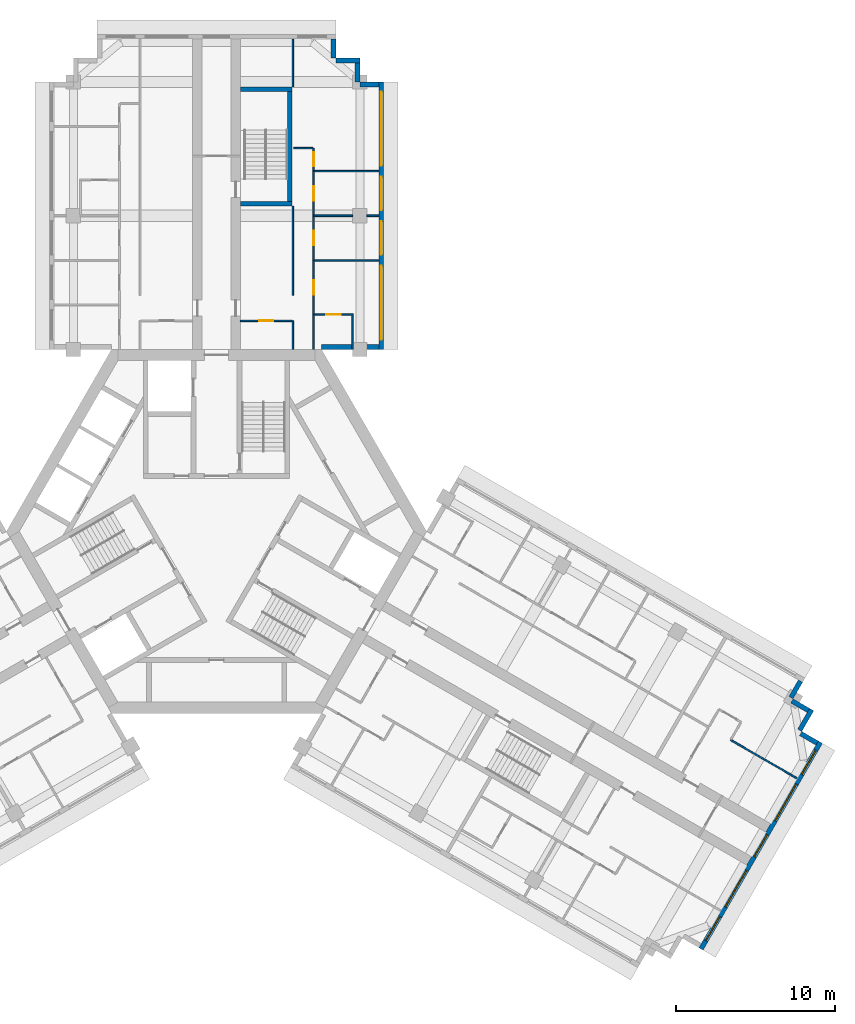
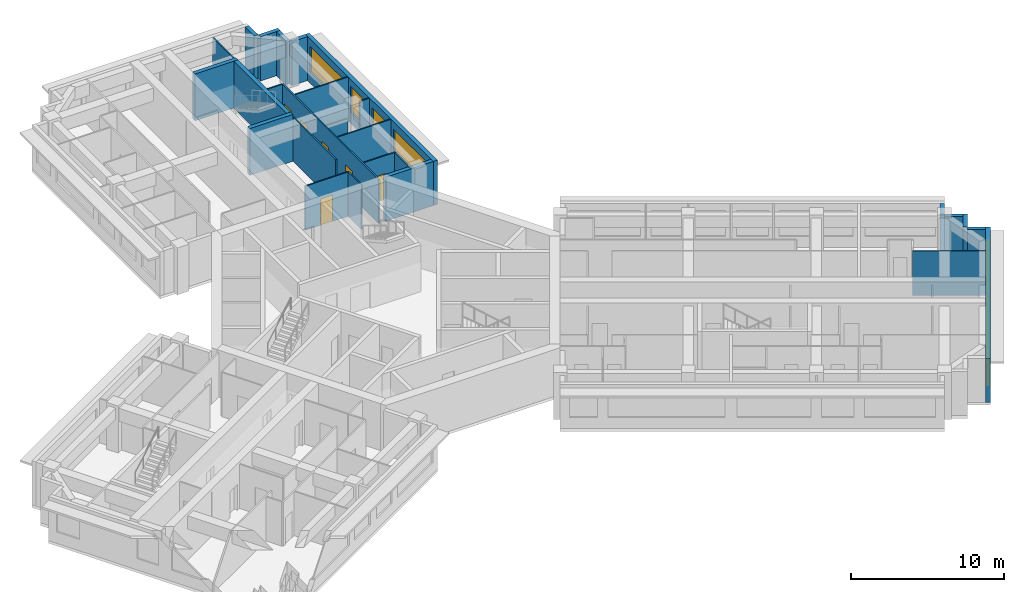
# One storey, part 8 of 10: 27 walls, 9 windows, 6 doors, 15 openings.
"""IFC4 building model written with IfcOpenShell, lengths in metres."""

from ifc_helpers import new_model, si_unit, direction, frame, frame_2d, origin, place, context, subcontext, project, spatial, rectangle, extrude, material, layer, layer_set, type_object, element, fill, save


model = new_model("IFC4")

# Units and contexts
model_context = context("Model", 3, precision=1e-05, world=origin(), true_north=direction((0.0, 1.0)))
body_context = subcontext(model_context, "Body", "Model", "MODEL_VIEW")
ifc_project = project(units=[si_unit("LENGTHUNIT", "METRE"), si_unit("AREAUNIT", "SQUARE_METRE"), si_unit("VOLUMEUNIT", "CUBIC_METRE"), si_unit("PLANEANGLEUNIT", "RADIAN"), si_unit("MASSUNIT", "GRAM", prefix="KILO")], contexts=[model_context])

# Site, building, storey
site_placement = place(None, origin())
site = spatial("IfcSite", under=ifc_project, at=site_placement, CompositionType="ELEMENT")
building_placement = place(site_placement, origin())
building = spatial("IfcBuilding", under=site, at=building_placement, Name="Impinga Residences", CompositionType="ELEMENT")
storey_placement = place(building_placement, frame((0.0, 0.0, 237.25)))
storey = spatial("IfcBuildingStorey", under=building, at=storey_placement, Name="L59", CompositionType="ELEMENT", Elevation=237.25)

# Walls
ifc_material_1 = material(Name="Terracotta rainscreen on blockwork", Category="masonry")
ifc_layer_1 = layer(ifc_material_1, 0.300048828125)
ifc_layer_set_1 = layer_set([ifc_layer_1], Name="EW1 external wall, terracotta rainscreen on blockwork 300")
wall_type_1 = type_object("IfcWallType", Name="EW1 external wall, terracotta rainscreen on blockwork 300", PredefinedType="SOLIDWALL", material=ifc_layer_set_1)
wall_1_placement = place(storey_placement, frame((36.69384765625, -9.4072265625, 0.0), z_axis=(0.0, 0.0, 1.0), x_axis=(-0.499880961361, -0.866094119867, 0.0)))
element("IfcWall", 1, at=wall_1_placement, inside=storey, type_object=wall_type_1, Name="External wall EW1 L59", PredefinedType="SOLIDWALL", context=body_context, shape_type="SweptSolid", body=[
    extrude(rectangle(XDim=1.199951171875, YDim=0.300048828125, at=frame_2d((0.60009765625, 0.0))), origin(), (0.0, 0.0, 1.0), 3.530029296875),
])
wall_2_placement = place(storey_placement, frame((36.153076171875, -10.654052734375, 0.0), z_axis=(0.0, 0.0, 1.0), x_axis=(0.866059708757, -0.499940577336, 0.0)))
element("IfcWall", 2, at=wall_2_placement, inside=storey, type_object=wall_type_1, Name="External wall EW1 L59", PredefinedType="SOLIDWALL", context=body_context, shape_type="SweptSolid", body=[
    extrude(rectangle(XDim=1.195068359375, YDim=0.300048828125, at=frame_2d((0.59765625, 0.0))), origin(), (0.0, 0.0, 1.0), 3.530029296875),
])
wall_3_placement = place(storey_placement, frame((37.39306640625, -11.196533203125, 0.0), z_axis=(0.0, 0.0, 1.0), x_axis=(-0.499990139034, -0.866031096941, 0.0)))
element("IfcWall", 3, at=wall_3_placement, inside=storey, type_object=wall_type_1, Name="External wall EW1 L59", PredefinedType="SOLIDWALL", context=body_context, shape_type="SweptSolid", body=[
    extrude(rectangle(XDim=1.5, YDim=0.300048828125, at=frame_2d((0.75, 0.0))), origin(), (0.0, 0.0, 1.0), 3.530029296875),
])
wall_4_placement = place(storey_placement, frame((36.7021484375, -12.702880859375, 0.0), z_axis=(0.0, 0.0, 1.0), x_axis=(0.865971243484, -0.500093796661, 0.0)))
element("IfcWall", 4, at=wall_4_placement, inside=storey, type_object=wall_type_1, Name="External wall EW1 L59", PredefinedType="SOLIDWALL", context=body_context, shape_type="SweptSolid", body=[
    extrude(rectangle(XDim=1.195068359375, YDim=0.300048828125, at=frame_2d((0.59765625, 0.0))), origin(), (0.0, 0.0, 1.0), 3.530029296875),
])

# Wall, openings, windows
wall_5_placement = place(storey_placement, frame((37.94189453125, -13.24560546875, 0.0), z_axis=(0.0, 0.0, 1.0), x_axis=(-0.500004234368, -0.866022959057, 0.0)))
wall_5 = element("IfcWall", 5, at=wall_5_placement, inside=storey, type_object=wall_type_1, Name="External wall EW1 L59", PredefinedType="SOLIDWALL", context=body_context, shape_type="SweptSolid", body=[
    extrude(rectangle(XDim=14.999755859375, YDim=0.300048828125, at=frame_2d((7.5, 0.0))), origin(), (0.0, 0.0, 1.0), 3.530029296875),
])
opening_1_placement = place(wall_5_placement, frame((0.60009765625, 0.0, 0.89990234375)))
opening_1 = element("IfcOpeningElement", 6, at=opening_1_placement, cuts=wall_5, Name="Opening W1", PredefinedType="OPENING", context=body_context, shape_type="SweptSolid", body=[
    extrude(rectangle(XDim=1.75, YDim=2.050048828125, at=frame_2d((0.875, 1.02490234375))), frame((0.0, 0.159912109375, 0.0), z_axis=(0.0, -1.0, 0.0), x_axis=(1.0, 0.0, 0.0)), (0.0, 0.0, 1.0), 0.320068359375),
])
opening_2_placement = place(wall_5_placement, frame((3.050048828125, 0.0, 0.89990234375)))
opening_2 = element("IfcOpeningElement", 7, at=opening_2_placement, cuts=wall_5, Name="Opening W18", PredefinedType="OPENING", context=body_context, shape_type="SweptSolid", body=[
    extrude(rectangle(XDim=2.64990234375, YDim=2.050048828125, at=frame_2d((1.324951171875, 1.02490234375))), frame((0.0, 0.159912109375, 0.0), z_axis=(0.0, -1.0, 0.0), x_axis=(1.0, 0.0, 0.0)), (0.0, 0.0, 1.0), 0.320068359375),
])
opening_3_placement = place(wall_5_placement, frame((6.699951171875, 0.0, 0.89990234375)))
opening_3 = element("IfcOpeningElement", 8, at=opening_3_placement, cuts=wall_5, Name="Opening W19", PredefinedType="OPENING", context=body_context, shape_type="SweptSolid", body=[
    extrude(rectangle(XDim=1.60009765625, YDim=2.050048828125, at=frame_2d((0.800048828125, 1.02490234375))), frame((0.0, 0.159912109375, 0.0), z_axis=(0.0, -1.0, 0.0), x_axis=(1.0, 0.0, 0.0)), (0.0, 0.0, 1.0), 0.320068359375),
])
opening_4_placement = place(wall_5_placement, frame((9.300048828125, 0.0, 0.89990234375)))
opening_4 = element("IfcOpeningElement", 9, at=opening_4_placement, cuts=wall_5, Name="Opening W18", PredefinedType="OPENING", context=body_context, shape_type="SweptSolid", body=[
    extrude(rectangle(XDim=2.64990234375, YDim=2.050048828125, at=frame_2d((1.324951171875, 1.02490234375))), frame((0.0, 0.159912109375, 0.0), z_axis=(0.0, -1.0, 0.0), x_axis=(1.0, 0.0, 0.0)), (0.0, 0.0, 1.0), 0.320068359375),
])
opening_5_placement = place(wall_5_placement, frame((12.64990234375, 0.0, 0.89990234375)))
opening_5 = element("IfcOpeningElement", 10, at=opening_5_placement, cuts=wall_5, Name="Opening W1", PredefinedType="OPENING", context=body_context, shape_type="SweptSolid", body=[
    extrude(rectangle(XDim=1.75, YDim=2.050048828125, at=frame_2d((0.875, 1.02490234375))), frame((0.0, 0.159912109375, 0.0), z_axis=(0.0, -1.0, 0.0), x_axis=(1.0, 0.0, 0.0)), (0.0, 0.0, 1.0), 0.320068359375),
])
ifc_material_2 = material(Name="Aluminium window, clear double glazing", Category="aluminium")
window_type_1 = type_object("IfcWindowType", Name="W1 ribbon window 1750x2050", PartitioningType="SINGLE_PANEL", PredefinedType="WINDOW", material=ifc_material_2)
window_1_placement = place(opening_1_placement, origin())
window_1 = element("IfcWindow", 11, at=window_1_placement, inside=storey, type_object=window_type_1, Name="Window L59", OverallHeight=2.050048828125, OverallWidth=1.75, PartitioningType="SINGLE_PANEL", PredefinedType="WINDOW", context=body_context, shape_type="SweptSolid", body=[
    extrude(rectangle(XDim=1.75, YDim=2.050048828125, at=frame_2d((0.875, 1.02490234375))), frame((0.0, 0.030029296875, 0.0), z_axis=(0.0, -1.0, 0.0), x_axis=(1.0, 0.0, 0.0)), (0.0, 0.0, 1.0), 0.06005859375),
])
fill(opening_1, window_1)
window_2_placement = place(opening_5_placement, origin())
window_2 = element("IfcWindow", 12, at=window_2_placement, inside=storey, type_object=window_type_1, Name="Window L59", OverallHeight=2.050048828125, OverallWidth=1.75, PartitioningType="SINGLE_PANEL", PredefinedType="WINDOW", context=body_context, shape_type="SweptSolid", body=[
    extrude(rectangle(XDim=1.75, YDim=2.050048828125, at=frame_2d((0.875, 1.02490234375))), frame((0.0, 0.030029296875, 0.0), z_axis=(0.0, -1.0, 0.0), x_axis=(1.0, 0.0, 0.0)), (0.0, 0.0, 1.0), 0.06005859375),
])
fill(opening_5, window_2)
window_type_2 = type_object("IfcWindowType", Name="W18 ribbon window 2650x2050", PartitioningType="SINGLE_PANEL", PredefinedType="WINDOW", material=ifc_material_2)
window_3_placement = place(opening_2_placement, origin())
window_3 = element("IfcWindow", 13, at=window_3_placement, inside=storey, type_object=window_type_2, Name="Window L59", OverallHeight=2.050048828125, OverallWidth=2.64990234375, PartitioningType="SINGLE_PANEL", PredefinedType="WINDOW", context=body_context, shape_type="SweptSolid", body=[
    extrude(rectangle(XDim=2.64990234375, YDim=2.050048828125, at=frame_2d((1.324951171875, 1.02490234375))), frame((0.0, 0.030029296875, 0.0), z_axis=(0.0, -1.0, 0.0), x_axis=(1.0, 0.0, 0.0)), (0.0, 0.0, 1.0), 0.06005859375),
])
fill(opening_2, window_3)
window_4_placement = place(opening_4_placement, origin())
window_4 = element("IfcWindow", 14, at=window_4_placement, inside=storey, type_object=window_type_2, Name="Window L59", OverallHeight=2.050048828125, OverallWidth=2.64990234375, PartitioningType="SINGLE_PANEL", PredefinedType="WINDOW", context=body_context, shape_type="SweptSolid", body=[
    extrude(rectangle(XDim=2.64990234375, YDim=2.050048828125, at=frame_2d((1.324951171875, 1.02490234375))), frame((0.0, 0.030029296875, 0.0), z_axis=(0.0, -1.0, 0.0), x_axis=(1.0, 0.0, 0.0)), (0.0, 0.0, 1.0), 0.06005859375),
])
fill(opening_4, window_4)
window_type_3 = type_object("IfcWindowType", Name="W19 ribbon window 1600x2050", PartitioningType="SINGLE_PANEL", PredefinedType="WINDOW", material=ifc_material_2)
window_5_placement = place(opening_3_placement, origin())
window_5 = element("IfcWindow", 15, at=window_5_placement, inside=storey, type_object=window_type_3, Name="Window L59", OverallHeight=2.050048828125, OverallWidth=1.60009765625, PartitioningType="SINGLE_PANEL", PredefinedType="WINDOW", context=body_context, shape_type="SweptSolid", body=[
    extrude(rectangle(XDim=1.60009765625, YDim=2.050048828125, at=frame_2d((0.800048828125, 1.02490234375))), frame((0.0, 0.030029296875, 0.0), z_axis=(0.0, -1.0, 0.0), x_axis=(1.0, 0.0, 0.0)), (0.0, 0.0, 1.0), 0.06005859375),
])
fill(opening_3, window_5)

# Walls
wall_6_placement = place(storey_placement, frame((7.35009765625, 30.931640625, 0.0), z_axis=(0.0, 0.0, 1.0), x_axis=(0.0, -1.0, 0.0)))
element("IfcWall", 16, at=wall_6_placement, inside=storey, type_object=wall_type_1, Name="External wall EW1 L59", PredefinedType="SOLIDWALL", context=body_context, shape_type="SweptSolid", body=[
    extrude(rectangle(XDim=1.195068359375, YDim=0.300048828125, at=frame_2d((0.59765625, 0.0))), origin(), (0.0, 0.0, 1.0), 3.530029296875),
])
wall_7_placement = place(storey_placement, frame((7.5, 29.58154296875, 0.0), z_axis=(0.0, 0.0, 1.0), x_axis=(1.0, 0.0, 0.0)))
element("IfcWall", 17, at=wall_7_placement, inside=storey, type_object=wall_type_1, Name="External wall EW1 L59", PredefinedType="SOLIDWALL", context=body_context, shape_type="SweptSolid", body=[
    extrude(rectangle(XDim=1.5, YDim=0.300048828125, at=frame_2d((0.75, 0.0))), origin(), (0.0, 0.0, 1.0), 3.530029296875),
])
wall_8_placement = place(storey_placement, frame((8.85009765625, 29.431640625, 0.0), z_axis=(0.0, 0.0, 1.0), x_axis=(0.0, -1.0, 0.0)))
element("IfcWall", 18, at=wall_8_placement, inside=storey, type_object=wall_type_1, Name="External wall EW1 L59", PredefinedType="SOLIDWALL", context=body_context, shape_type="SweptSolid", body=[
    extrude(rectangle(XDim=1.2001953125, YDim=0.300048828125, at=frame_2d((0.60009765625, 0.0))), origin(), (0.0, 0.0, 1.0), 3.530029296875),
])
wall_9_placement = place(storey_placement, frame((9.0048828125, 28.08154296875, 0.0), z_axis=(0.0, 0.0, 1.0), x_axis=(1.0, 0.0, 0.0)))
element("IfcWall", 19, at=wall_9_placement, inside=storey, type_object=wall_type_1, Name="External wall EW1 L59", PredefinedType="SOLIDWALL", context=body_context, shape_type="SweptSolid", body=[
    extrude(rectangle(XDim=1.195068359375, YDim=0.300048828125, at=frame_2d((0.59765625, 0.0))), origin(), (0.0, 0.0, 1.0), 3.530029296875),
])

# Wall, openings, windows
wall_10_placement = place(storey_placement, frame((10.35009765625, 28.2314453125, 0.0), z_axis=(0.0, 0.0, 1.0), x_axis=(0.0, -1.0, 0.0)))
wall_10 = element("IfcWall", 20, at=wall_10_placement, inside=storey, type_object=wall_type_1, Name="External wall EW1 L59", PredefinedType="SOLIDWALL", context=body_context, shape_type="SweptSolid", body=[
    extrude(rectangle(XDim=16.7998046875, YDim=0.300048828125, at=frame_2d((8.39990234375, 0.0))), origin(), (0.0, 0.0, 1.0), 3.530029296875),
])
opening_6_placement = place(wall_10_placement, frame((0.60009765625, 0.0, 0.89990234375)))
opening_6 = element("IfcOpeningElement", 21, at=opening_6_placement, cuts=wall_10, Name="Opening W10", PredefinedType="OPENING", context=body_context, shape_type="SweptSolid", body=[
    extrude(rectangle(XDim=4.64990234375, YDim=2.050048828125, at=frame_2d((2.324951171875, 1.02490234375))), frame((0.0, 0.159912109375, 0.0), z_axis=(0.0, -1.0, 0.0), x_axis=(1.0, 0.0, 0.0)), (0.0, 0.0, 1.0), 0.320068359375),
])
opening_7_placement = place(wall_10_placement, frame((5.949951171875, 0.0, 0.89990234375)))
opening_7 = element("IfcOpeningElement", 22, at=opening_7_placement, cuts=wall_10, Name="Opening W9", PredefinedType="OPENING", context=body_context, shape_type="SweptSolid", body=[
    extrude(rectangle(XDim=2.10009765625, YDim=2.050048828125, at=frame_2d((1.050048828125, 1.02490234375))), frame((0.0, 0.159912109375, 0.0), z_axis=(0.0, -1.0, 0.0), x_axis=(1.0, 0.0, 0.0)), (0.0, 0.0, 1.0), 0.320068359375),
])
opening_8_placement = place(wall_10_placement, frame((8.75, 0.0, 0.89990234375)))
opening_8 = element("IfcOpeningElement", 23, at=opening_8_placement, cuts=wall_10, Name="Opening W9", PredefinedType="OPENING", context=body_context, shape_type="SweptSolid", body=[
    extrude(rectangle(XDim=2.10009765625, YDim=2.050048828125, at=frame_2d((1.050048828125, 1.02490234375))), frame((0.0, 0.159912109375, 0.0), z_axis=(0.0, -1.0, 0.0), x_axis=(1.0, 0.0, 0.0)), (0.0, 0.0, 1.0), 0.320068359375),
])
opening_9_placement = place(wall_10_placement, frame((11.550048828125, 0.0, 0.89990234375)))
opening_9 = element("IfcOpeningElement", 24, at=opening_9_placement, cuts=wall_10, Name="Opening W10", PredefinedType="OPENING", context=body_context, shape_type="SweptSolid", body=[
    extrude(rectangle(XDim=4.64990234375, YDim=2.050048828125, at=frame_2d((2.324951171875, 1.02490234375))), frame((0.0, 0.159912109375, 0.0), z_axis=(0.0, -1.0, 0.0), x_axis=(1.0, 0.0, 0.0)), (0.0, 0.0, 1.0), 0.320068359375),
])
window_type_4 = type_object("IfcWindowType", Name="W10 ribbon window 4650x2050", PartitioningType="SINGLE_PANEL", PredefinedType="WINDOW", material=ifc_material_2)
window_6_placement = place(opening_6_placement, origin())
window_6 = element("IfcWindow", 25, at=window_6_placement, inside=storey, type_object=window_type_4, Name="Window L59", OverallHeight=2.050048828125, OverallWidth=4.64990234375, PartitioningType="SINGLE_PANEL", PredefinedType="WINDOW", context=body_context, shape_type="SweptSolid", body=[
    extrude(rectangle(XDim=4.64990234375, YDim=2.050048828125, at=frame_2d((2.324951171875, 1.02490234375))), frame((0.0, 0.030029296875, 0.0), z_axis=(0.0, -1.0, 0.0), x_axis=(1.0, 0.0, 0.0)), (0.0, 0.0, 1.0), 0.06005859375),
])
fill(opening_6, window_6)
window_7_placement = place(opening_9_placement, origin())
window_7 = element("IfcWindow", 26, at=window_7_placement, inside=storey, type_object=window_type_4, Name="Window L59", OverallHeight=2.050048828125, OverallWidth=4.64990234375, PartitioningType="SINGLE_PANEL", PredefinedType="WINDOW", context=body_context, shape_type="SweptSolid", body=[
    extrude(rectangle(XDim=4.64990234375, YDim=2.050048828125, at=frame_2d((2.324951171875, 1.02490234375))), frame((0.0, 0.030029296875, 0.0), z_axis=(0.0, -1.0, 0.0), x_axis=(1.0, 0.0, 0.0)), (0.0, 0.0, 1.0), 0.06005859375),
])
fill(opening_9, window_7)
window_type_5 = type_object("IfcWindowType", Name="W9 ribbon window 2100x2050", PartitioningType="SINGLE_PANEL", PredefinedType="WINDOW", material=ifc_material_2)
window_8_placement = place(opening_7_placement, origin())
window_8 = element("IfcWindow", 27, at=window_8_placement, inside=storey, type_object=window_type_5, Name="Window L59", OverallHeight=2.050048828125, OverallWidth=2.10009765625, PartitioningType="SINGLE_PANEL", PredefinedType="WINDOW", context=body_context, shape_type="SweptSolid", body=[
    extrude(rectangle(XDim=2.10009765625, YDim=2.050048828125, at=frame_2d((1.050048828125, 1.02490234375))), frame((0.0, 0.030029296875, 0.0), z_axis=(0.0, -1.0, 0.0), x_axis=(1.0, 0.0, 0.0)), (0.0, 0.0, 1.0), 0.06005859375),
])
fill(opening_7, window_8)
window_9_placement = place(opening_8_placement, origin())
window_9 = element("IfcWindow", 28, at=window_9_placement, inside=storey, type_object=window_type_5, Name="Window L59", OverallHeight=2.050048828125, OverallWidth=2.10009765625, PartitioningType="SINGLE_PANEL", PredefinedType="WINDOW", context=body_context, shape_type="SweptSolid", body=[
    extrude(rectangle(XDim=2.10009765625, YDim=2.050048828125, at=frame_2d((1.050048828125, 1.02490234375))), frame((0.0, 0.030029296875, 0.0), z_axis=(0.0, -1.0, 0.0), x_axis=(1.0, 0.0, 0.0)), (0.0, 0.0, 1.0), 0.06005859375),
])
fill(opening_8, window_9)

# Walls
wall_11_placement = place(storey_placement, frame((10.199951171875, 11.58154296875, 0.0), z_axis=(0.0, 0.0, 1.0), x_axis=(-1.0, 0.0, 0.0)))
element("IfcWall", 29, at=wall_11_placement, inside=storey, type_object=wall_type_1, Name="External wall EW1 L59", PredefinedType="SOLIDWALL", context=body_context, shape_type="SweptSolid", body=[
    extrude(rectangle(XDim=3.599853515625, YDim=0.300048828125, at=frame_2d((1.7998046875, 0.0))), origin(), (0.0, 0.0, 1.0), 3.530029296875),
])
ifc_material_3 = material(Name="Gypsum board on steel studs", Category="steel")
ifc_layer_2 = layer(ifc_material_3, 0.10009765625)
ifc_layer_set_2 = layer_set([ifc_layer_2], Name="Gypsum board on steel studs")
wall_type_2 = type_object("IfcWallType", Name="IP1 partition 100", PredefinedType="PARTITIONING", material=ifc_layer_set_2)
wall_12_placement = place(storey_placement, frame((4.800048828125, 11.431640625, 0.0), z_axis=(0.0, 0.0, 1.0), x_axis=(0.0, 1.0, 0.0)))
element("IfcWall", 30, at=wall_12_placement, inside=storey, type_object=wall_type_2, Name="Partition L59-NF1:DIV0", PredefinedType="PARTITIONING", context=body_context, shape_type="SweptSolid", body=[
    extrude(rectangle(XDim=1.7998046875, YDim=0.10009765625, at=frame_2d((0.89990234375, 0.0))), origin(), (0.0, 0.0, 1.0), 3.530029296875),
])
wall_13_placement = place(storey_placement, frame((4.800048828125, 14.83154296875, 0.0), z_axis=(0.0, 0.0, 1.0), x_axis=(0.0, 1.0, 0.0)))
element("IfcWall", 31, at=wall_13_placement, inside=storey, type_object=wall_type_2, Name="Partition L59-NF1:DIV1", PredefinedType="PARTITIONING", context=body_context, shape_type="SweptSolid", body=[
    extrude(rectangle(XDim=5.60009765625, YDim=0.10009765625, at=frame_2d((2.800048828125, 0.0))), origin(), (0.0, 0.0, 1.0), 3.530029296875),
])
wall_14_placement = place(storey_placement, frame((4.800048828125, 27.931640625, 0.0), z_axis=(0.0, 0.0, 1.0), x_axis=(0.0, 1.0, 0.0)))
element("IfcWall", 32, at=wall_14_placement, inside=storey, type_object=wall_type_2, Name="Partition L59-NF1:DIV2", PredefinedType="PARTITIONING", context=body_context, shape_type="SweptSolid", body=[
    extrude(rectangle(XDim=3.0, YDim=0.10009765625, at=frame_2d((1.5, 0.0))), origin(), (0.0, 0.0, 1.0), 3.530029296875),
])

# Wall, openings, doors
wall_15_placement = place(storey_placement, frame((6.10009765625, 11.431640625, 0.0), z_axis=(0.0, 0.0, 1.0), x_axis=(0.0, 1.0, 0.0)))
wall_15 = element("IfcWall", 33, at=wall_15_placement, inside=storey, type_object=wall_type_2, Name="Partition L59-NF1:STRIP", PredefinedType="PARTITIONING", context=body_context, shape_type="SweptSolid", body=[
    extrude(rectangle(XDim=12.64990234375, YDim=0.10009765625, at=frame_2d((6.324951171875, 0.0))), origin(), (0.0, 0.0, 1.0), 3.530029296875),
])
opening_10_placement = place(wall_15_placement, frame((3.449951171875, 0.0, 0.0)))
opening_10 = element("IfcOpeningElement", 34, at=opening_10_placement, cuts=wall_15, Name="Opening D2", PredefinedType="OPENING", context=body_context, shape_type="SweptSolid", body=[
    extrude(rectangle(XDim=0.89990234375, YDim=2.10009765625, at=frame_2d((0.449951171875, 1.050048828125))), frame((0.0, 0.06005859375, 0.0), z_axis=(0.0, -1.0, 0.0), x_axis=(1.0, 0.0, 0.0)), (0.0, 0.0, 1.0), 0.1201171875),
])
opening_11_placement = place(wall_15_placement, frame((6.550048828125, 0.0, 0.0)))
opening_11 = element("IfcOpeningElement", 35, at=opening_11_placement, cuts=wall_15, Name="Opening D2", PredefinedType="OPENING", context=body_context, shape_type="SweptSolid", body=[
    extrude(rectangle(XDim=0.89990234375, YDim=2.10009765625, at=frame_2d((0.449951171875, 1.050048828125))), frame((0.0, 0.06005859375, 0.0), z_axis=(0.0, -1.0, 0.0), x_axis=(1.0, 0.0, 0.0)), (0.0, 0.0, 1.0), 0.1201171875),
])
opening_12_placement = place(wall_15_placement, frame((9.35009765625, 0.0, 0.0)))
opening_12 = element("IfcOpeningElement", 36, at=opening_12_placement, cuts=wall_15, Name="Opening D2", PredefinedType="OPENING", context=body_context, shape_type="SweptSolid", body=[
    extrude(rectangle(XDim=0.89990234375, YDim=2.10009765625, at=frame_2d((0.449951171875, 1.050048828125))), frame((0.0, 0.06005859375, 0.0), z_axis=(0.0, -1.0, 0.0), x_axis=(1.0, 0.0, 0.0)), (0.0, 0.0, 1.0), 0.1201171875),
])
opening_13_placement = place(wall_15_placement, frame((11.5, 0.0, 0.0)))
opening_13 = element("IfcOpeningElement", 37, at=opening_13_placement, cuts=wall_15, Name="Opening D2", PredefinedType="OPENING", context=body_context, shape_type="SweptSolid", body=[
    extrude(rectangle(XDim=0.89990234375, YDim=2.10009765625, at=frame_2d((0.449951171875, 1.050048828125))), frame((0.0, 0.06005859375, 0.0), z_axis=(0.0, -1.0, 0.0), x_axis=(1.0, 0.0, 0.0)), (0.0, 0.0, 1.0), 0.1201171875),
])
ifc_material_4 = material(Name="Timber door set", Category="wood")
door_type = type_object("IfcDoorType", Name="D2 internal door 900x2100", OperationType="SINGLE_SWING_LEFT", PredefinedType="DOOR", material=ifc_material_4)
door_1_placement = place(opening_10_placement, origin())
door_1 = element("IfcDoor", 38, at=door_1_placement, inside=storey, type_object=door_type, Name="Apartment L59-NF1 room door", OperationType="SINGLE_SWING_LEFT", OverallHeight=2.10009765625, OverallWidth=0.89990234375, PredefinedType="DOOR", context=body_context, shape_type="SweptSolid", body=[
    extrude(rectangle(XDim=0.89990234375, YDim=2.10009765625, at=frame_2d((0.449951171875, 1.050048828125))), frame((0.0, 0.02490234375, 0.0), z_axis=(0.0, -1.0, 0.0), x_axis=(1.0, 0.0, 0.0)), (0.0, 0.0, 1.0), 0.050048828125),
])
fill(opening_10, door_1)
door_2_placement = place(opening_11_placement, origin())
door_2 = element("IfcDoor", 39, at=door_2_placement, inside=storey, type_object=door_type, Name="Apartment L59-NF1 room door", OperationType="SINGLE_SWING_RIGHT", OverallHeight=2.10009765625, OverallWidth=0.89990234375, PredefinedType="DOOR", context=body_context, shape_type="SweptSolid", body=[
    extrude(rectangle(XDim=0.89990234375, YDim=2.10009765625, at=frame_2d((0.449951171875, 1.050048828125))), frame((0.0, 0.02490234375, 0.0), z_axis=(0.0, -1.0, 0.0), x_axis=(1.0, 0.0, 0.0)), (0.0, 0.0, 1.0), 0.050048828125),
])
fill(opening_11, door_2)
door_3_placement = place(opening_12_placement, origin())
door_3 = element("IfcDoor", 40, at=door_3_placement, inside=storey, type_object=door_type, Name="Apartment L59-NF1 room door", OperationType="SINGLE_SWING_RIGHT", OverallHeight=2.10009765625, OverallWidth=0.89990234375, PredefinedType="DOOR", context=body_context, shape_type="SweptSolid", body=[
    extrude(rectangle(XDim=0.89990234375, YDim=2.10009765625, at=frame_2d((0.449951171875, 1.050048828125))), frame((0.0, 0.02490234375, 0.0), z_axis=(0.0, -1.0, 0.0), x_axis=(1.0, 0.0, 0.0)), (0.0, 0.0, 1.0), 0.050048828125),
])
fill(opening_12, door_3)
door_4_placement = place(opening_13_placement, origin())
door_4 = element("IfcDoor", 41, at=door_4_placement, inside=storey, type_object=door_type, Name="Apartment L59-NF1 room door", OperationType="SINGLE_SWING_RIGHT", OverallHeight=2.10009765625, OverallWidth=0.89990234375, PredefinedType="DOOR", context=body_context, shape_type="SweptSolid", body=[
    extrude(rectangle(XDim=0.89990234375, YDim=2.10009765625, at=frame_2d((0.449951171875, 1.050048828125))), frame((0.0, 0.02490234375, 0.0), z_axis=(0.0, -1.0, 0.0), x_axis=(1.0, 0.0, 0.0)), (0.0, 0.0, 1.0), 0.050048828125),
])
fill(opening_13, door_4)

# Wall
wall_16_placement = place(storey_placement, frame((4.85009765625, 24.08154296875, 0.0), z_axis=(0.0, 0.0, 1.0), x_axis=(1.0, 0.0, 0.0)))
element("IfcWall", 42, at=wall_16_placement, inside=storey, type_object=wall_type_2, Name="Partition L59-NF1:SE1", PredefinedType="PARTITIONING", context=body_context, shape_type="SweptSolid", body=[
    extrude(rectangle(XDim=1.199951171875, YDim=0.10009765625, at=frame_2d((0.60009765625, 0.0))), origin(), (0.0, 0.0, 1.0), 3.530029296875),
])

# Wall, opening, door
wall_17_placement = place(storey_placement, frame((1.5, 13.2314453125, 0.0), z_axis=(0.0, 0.0, 1.0), x_axis=(1.0, 0.0, 0.0)))
wall_17 = element("IfcWall", 43, at=wall_17_placement, inside=storey, type_object=wall_type_2, Name="Partition L59-NF1:IB1", PredefinedType="PARTITIONING", context=body_context, shape_type="SweptSolid", body=[
    extrude(rectangle(XDim=3.25, YDim=0.10009765625, at=frame_2d((1.625, 0.0))), origin(), (0.0, 0.0, 1.0), 3.530029296875),
])
opening_14_placement = place(wall_17_placement, frame((1.175048828125, 0.0, 0.0)))
opening_14 = element("IfcOpeningElement", 44, at=opening_14_placement, cuts=wall_17, Name="Opening D2", PredefinedType="OPENING", context=body_context, shape_type="SweptSolid", body=[
    extrude(rectangle(XDim=0.89990234375, YDim=2.10009765625, at=frame_2d((0.449951171875, 1.050048828125))), frame((0.0, 0.06005859375, 0.0), z_axis=(0.0, -1.0, 0.0), x_axis=(1.0, 0.0, 0.0)), (0.0, 0.0, 1.0), 0.1201171875),
])
door_5_placement = place(opening_14_placement, origin())
door_5 = element("IfcDoor", 45, at=door_5_placement, inside=storey, type_object=door_type, Name="Apartment L59-NF1 bathroom door", OperationType="SINGLE_SWING_LEFT", OverallHeight=2.10009765625, OverallWidth=0.89990234375, PredefinedType="DOOR", context=body_context, shape_type="SweptSolid", body=[
    extrude(rectangle(XDim=0.89990234375, YDim=2.10009765625, at=frame_2d((0.449951171875, 1.050048828125))), frame((0.0, 0.02490234375, 0.0), z_axis=(0.0, -1.0, 0.0), x_axis=(1.0, 0.0, 0.0)), (0.0, 0.0, 1.0), 0.050048828125),
])
fill(opening_14, door_5)

# Walls
wall_18_placement = place(storey_placement, frame((6.14990234375, 17.031494140625, 0.0), z_axis=(0.0, 0.0, 1.0), x_axis=(1.0, 0.0, 0.0)))
element("IfcWall", 46, at=wall_18_placement, inside=storey, type_object=wall_type_2, Name="Partition L59-NF1:OB1", PredefinedType="PARTITIONING", context=body_context, shape_type="SweptSolid", body=[
    extrude(rectangle(XDim=4.050048828125, YDim=0.10009765625, at=frame_2d((2.02490234375, 0.0))), origin(), (0.0, 0.0, 1.0), 3.530029296875),
])
wall_19_placement = place(storey_placement, frame((6.14990234375, 19.83154296875, 0.0), z_axis=(0.0, 0.0, 1.0), x_axis=(1.0, 0.0, 0.0)))
element("IfcWall", 47, at=wall_19_placement, inside=storey, type_object=wall_type_2, Name="Partition L59-NF1:OB2", PredefinedType="PARTITIONING", context=body_context, shape_type="SweptSolid", body=[
    extrude(rectangle(XDim=2.400146484375, YDim=0.10009765625, at=frame_2d((1.2001953125, 0.0))), origin(), (0.0, 0.0, 1.0), 2.47998046875),
])
wall_20_placement = place(storey_placement, frame((9.449951171875, 19.83154296875, 0.0), z_axis=(0.0, 0.0, 1.0), x_axis=(1.0, 0.0, 0.0)))
element("IfcWall", 48, at=wall_20_placement, inside=storey, type_object=wall_type_2, Name="Partition L59-NF1:OB2b", PredefinedType="PARTITIONING", context=body_context, shape_type="SweptSolid", body=[
    extrude(rectangle(XDim=0.75, YDim=0.10009765625, at=frame_2d((0.375, 0.0))), origin(), (0.0, 0.0, 1.0), 3.530029296875),
])
wall_21_placement = place(storey_placement, frame((6.14990234375, 22.631591796875, 0.0), z_axis=(0.0, 0.0, 1.0), x_axis=(1.0, 0.0, 0.0)))
element("IfcWall", 49, at=wall_21_placement, inside=storey, type_object=wall_type_2, Name="Partition L59-NF1:OB3", PredefinedType="PARTITIONING", context=body_context, shape_type="SweptSolid", body=[
    extrude(rectangle(XDim=4.050048828125, YDim=0.10009765625, at=frame_2d((2.02490234375, 0.0))), origin(), (0.0, 0.0, 1.0), 3.530029296875),
])

# Wall, opening, door
wall_22_placement = place(storey_placement, frame((6.14990234375, 13.631591796875, 0.0), z_axis=(0.0, 0.0, 1.0), x_axis=(1.0, 0.0, 0.0)))
wall_22 = element("IfcWall", 50, at=wall_22_placement, inside=storey, type_object=wall_type_2, Name="Partition L59-NF1:EN1", PredefinedType="PARTITIONING", context=body_context, shape_type="SweptSolid", body=[
    extrude(rectangle(XDim=2.4501953125, YDim=0.10009765625, at=frame_2d((1.22509765625, 0.0))), origin(), (0.0, 0.0, 1.0), 3.530029296875),
])
opening_15_placement = place(wall_22_placement, frame((0.75, 0.0, 0.0)))
opening_15 = element("IfcOpeningElement", 51, at=opening_15_placement, cuts=wall_22, Name="Opening D2", PredefinedType="OPENING", context=body_context, shape_type="SweptSolid", body=[
    extrude(rectangle(XDim=0.89990234375, YDim=2.10009765625, at=frame_2d((0.449951171875, 1.050048828125))), frame((0.0, 0.06005859375, 0.0), z_axis=(0.0, -1.0, 0.0), x_axis=(1.0, 0.0, 0.0)), (0.0, 0.0, 1.0), 0.1201171875),
])
door_6_placement = place(opening_15_placement, origin())
door_6 = element("IfcDoor", 52, at=door_6_placement, inside=storey, type_object=door_type, Name="Apartment L59-NF1 en-suite door", OperationType="SINGLE_SWING_LEFT", OverallHeight=2.10009765625, OverallWidth=0.89990234375, PredefinedType="DOOR", context=body_context, shape_type="SweptSolid", body=[
    extrude(rectangle(XDim=0.89990234375, YDim=2.10009765625, at=frame_2d((0.449951171875, 1.050048828125))), frame((0.0, 0.02490234375, 0.0), z_axis=(0.0, -1.0, 0.0), x_axis=(1.0, 0.0, 0.0)), (0.0, 0.0, 1.0), 0.050048828125),
])
fill(opening_15, door_6)

# Walls
wall_23_placement = place(storey_placement, frame((8.550048828125, 11.431640625, 0.0), z_axis=(0.0, 0.0, 1.0), x_axis=(0.0, 1.0, 0.0)))
element("IfcWall", 53, at=wall_23_placement, inside=storey, type_object=wall_type_2, Name="Partition L59-NF1:EN2", PredefinedType="PARTITIONING", context=body_context, shape_type="SweptSolid", body=[
    extrude(rectangle(XDim=2.14990234375, YDim=0.10009765625, at=frame_2d((1.074951171875, 0.0))), origin(), (0.0, 0.0, 1.0), 3.530029296875),
])
wall_24_placement = place(storey_placement, frame((32.30517578125, -13.10888671875, 0.0), z_axis=(0.0, 0.0, 1.0), x_axis=(0.866037363387, -0.499979284789, 0.0)))
element("IfcWall", 54, at=wall_24_placement, inside=storey, type_object=wall_type_2, Name="Partition L59-EA2:DIV1", PredefinedType="PARTITIONING", context=body_context, shape_type="SweptSolid", body=[
    extrude(rectangle(XDim=4.800048828125, YDim=0.10009765625, at=frame_2d((2.39990234375, 0.0))), origin(), (0.0, 0.0, 1.0), 3.530029296875),
])
ifc_material_5 = material(Name="Concrete C60/75", Category="concrete")
ifc_layer_3 = layer(ifc_material_5, 0.300048828125)
ifc_layer_set_3 = layer_set([ifc_layer_3], Name="Concrete C60/75")
wall_type_3 = type_object("IfcWallType", Name="SE1 wing stair enclosure wall 300", PredefinedType="SOLIDWALL", material=ifc_layer_set_3)
for number, where, z_axis, x_axis, name in (
    (55, (1.5, 20.58154296875, 0.0), (0.0, 0.0, 1.0), (1.0, 0.0, 0.0), "Stair enclosure wall SE1 N END0 L59"),
    (56, (1.5, 27.781494140625, 0.0), (0.0, 0.0, 1.0), (1.0, 0.0, 0.0), "Stair enclosure wall SE1 N END1 L59"),
):
    element("IfcWall", number, at=place(storey_placement, frame(where, z_axis=z_axis, x_axis=x_axis)), inside=storey, type_object=wall_type_3, Name=name, PredefinedType="SOLIDWALL", context=body_context, shape_type="SweptSolid", body=[
        extrude(rectangle(XDim=3.25, YDim=0.300048828125, at=frame_2d((1.625, 0.0))), origin(), (0.0, 0.0, 1.0), 3.75),
    ])
wall_25_placement = place(storey_placement, frame((4.60009765625, 20.7314453125, 0.0), z_axis=(0.0, 0.0, 1.0), x_axis=(0.0, 1.0, 0.0)))
element("IfcWall", 57, at=wall_25_placement, inside=storey, type_object=wall_type_3, Name="Stair enclosure wall SE1 N OUT L59", PredefinedType="SOLIDWALL", context=body_context, shape_type="SweptSolid", body=[
    extrude(rectangle(XDim=6.900146484375, YDim=0.300048828125, at=frame_2d((3.4501953125, 0.0))), origin(), (0.0, 0.0, 1.0), 3.75),
])

save(model, "model.ifc")
